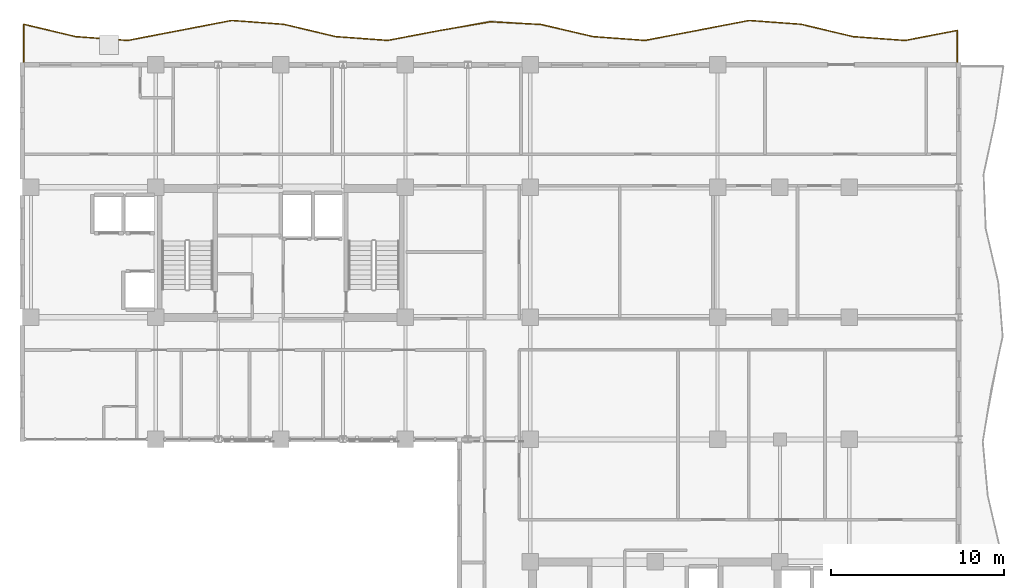
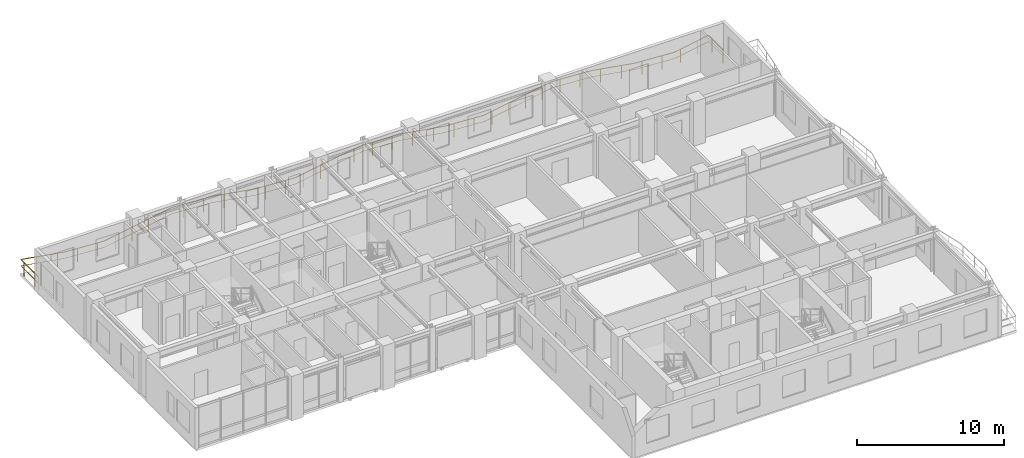
# One storey, part 16 of 16: 1 railing.
"""IFC4 building model written with IfcOpenShell, lengths in metres."""

from ifc_helpers import new_model, si_unit, direction, frame, origin, origin_2d, place, context, subcontext, project, spatial, rectangle, extrude, material, type_object, element, save


model = new_model("IFC4")

# Units and contexts
model_context = context("Model", 3, precision=1e-05, world=origin(), true_north=direction((0.0, 1.0)))
body_context = subcontext(model_context, "Body", "Model", "MODEL_VIEW")
ifc_project = project(units=[si_unit("LENGTHUNIT", "METRE"), si_unit("AREAUNIT", "SQUARE_METRE"), si_unit("VOLUMEUNIT", "CUBIC_METRE"), si_unit("PLANEANGLEUNIT", "RADIAN"), si_unit("MASSUNIT", "GRAM", prefix="KILO")], contexts=[model_context])

# Site, building, storey
site_placement = place(None, origin())
site = spatial("IfcSite", under=ifc_project, at=site_placement, CompositionType="ELEMENT")
building_placement = place(site_placement, origin())
building = spatial("IfcBuilding", under=site, at=building_placement, Name="Kaliganga Portal Commons", CompositionType="ELEMENT")
storey_placement = place(building_placement, frame((0.0, 0.0, 205.5)))
storey = spatial("IfcBuildingStorey", under=building, at=storey_placement, Name="L52", CompositionType="ELEMENT", Elevation=205.5)

# Railing
ifc_material = material(Name="Laminated Safety Glass and Stainless Steel 316", Category="steel")
railing_type = type_object("IfcRailingType", Name="RLG-BAL-1150", PredefinedType="BALUSTRADE", material=ifc_material)
railing_placement = place(storey_placement, frame((60.6201171875, 43.205078125, 0.0)))
element("IfcRailing", 1, at=railing_placement, inside=storey, type_object=railing_type, Name="Balcony Guardrail L52 balc_north", PredefinedType="BALUSTRADE", context=body_context, shape_type="SweptSolid", body=[
    extrude(rectangle(XDim=0.048095703125, YDim=0.048095703125, at=origin_2d()), frame((0.0, 0.0, 1.1259765625), z_axis=(0.0, 1.0, 0.0), x_axis=(-1.0, 0.0, 0.0)), (0.0, 0.0, 1.0), 1.9853515625),
    extrude(rectangle(XDim=0.028076171875, YDim=0.028076171875, at=origin_2d()), frame((0.0, 0.0, 0.597900390625), z_axis=(0.0, 1.0, 0.0), x_axis=(-1.0, 0.0, 0.0)), (0.0, 0.0, 1.0), 1.9853515625),
    extrude(rectangle(XDim=0.048095703125, YDim=0.048095703125, at=origin_2d()), frame((0.0, 1.9853515625, 1.1259765625), z_axis=(-0.981977935952, -0.1889955907, 0.0), x_axis=(0.1889955907, -0.981977935952, 0.0)), (0.0, 0.0, 1.0), 3.05517578125),
    extrude(rectangle(XDim=0.028076171875, YDim=0.028076171875, at=origin_2d()), frame((0.0, 1.9853515625, 0.597900390625), z_axis=(-0.981977935952, -0.1889955907, 0.0), x_axis=(0.1889955907, -0.981977935952, 0.0)), (0.0, 0.0, 1.0), 3.05517578125),
    extrude(rectangle(XDim=0.048095703125, YDim=0.048095703125, at=origin_2d()), frame((-3.0, 1.407958984375, 1.1259765625), z_axis=(-0.99731076678, 0.07328870625, 0.0), x_axis=(-0.07328870625, -0.99731076678, 0.0)), (0.0, 0.0, 1.0), 3.008056640625),
    extrude(rectangle(XDim=0.028076171875, YDim=0.028076171875, at=origin_2d()), frame((-3.0, 1.407958984375, 0.597900390625), z_axis=(-0.99731076678, 0.07328870625, 0.0), x_axis=(-0.07328870625, -0.99731076678, 0.0)), (0.0, 0.0, 1.0), 3.008056640625),
    extrude(rectangle(XDim=0.048095703125, YDim=0.048095703125, at=origin_2d()), frame((-6.0, 1.62841796875, 1.1259765625), z_axis=(-0.972908063116, 0.231192345728, 0.0), x_axis=(-0.231192345728, -0.972908063116, 0.0)), (0.0, 0.0, 1.0), 3.08349609375),
    extrude(rectangle(XDim=0.028076171875, YDim=0.028076171875, at=origin_2d()), frame((-6.0, 1.62841796875, 0.597900390625), z_axis=(-0.972908063116, 0.231192345728, 0.0), x_axis=(-0.231192345728, -0.972908063116, 0.0)), (0.0, 0.0, 1.0), 3.08349609375),
    extrude(rectangle(XDim=0.048095703125, YDim=0.048095703125, at=origin_2d()), frame((-9.0, 2.34130859375, 1.1259765625), z_axis=(-0.997328534337, 0.073046523511, 0.0), x_axis=(-0.073046523511, -0.997328534337, 0.0)), (0.0, 0.0, 1.0), 3.008056640625),
    extrude(rectangle(XDim=0.028076171875, YDim=0.028076171875, at=origin_2d()), frame((-9.0, 2.34130859375, 0.597900390625), z_axis=(-0.997328534337, 0.073046523511, 0.0), x_axis=(-0.073046523511, -0.997328534337, 0.0)), (0.0, 0.0, 1.0), 3.008056640625),
    extrude(rectangle(XDim=0.048095703125, YDim=0.048095703125, at=origin_2d()), frame((-12.0, 2.56103515625, 1.1259765625), z_axis=(-0.982037215628, -0.188687326343, 0.0), x_axis=(0.188687326343, -0.982037215628, 0.0)), (0.0, 0.0, 1.0), 3.054931640625),
    extrude(rectangle(XDim=0.028076171875, YDim=0.028076171875, at=origin_2d()), frame((-12.0, 2.56103515625, 0.597900390625), z_axis=(-0.982037215628, -0.188687326343, 0.0), x_axis=(0.188687326343, -0.982037215628, 0.0)), (0.0, 0.0, 1.0), 3.054931640625),
    extrude(rectangle(XDim=0.048095703125, YDim=0.048095703125, at=origin_2d()), frame((-15.0, 1.984619140625, 1.1259765625), z_axis=(-0.982140739342, -0.188147729526, 0.0), x_axis=(0.188147729526, -0.982140739342, 0.0)), (0.0, 0.0, 1.0), 3.054443359375),
    extrude(rectangle(XDim=0.028076171875, YDim=0.028076171875, at=origin_2d()), frame((-15.0, 1.984619140625, 0.597900390625), z_axis=(-0.982140739342, -0.188147729526, 0.0), x_axis=(0.188147729526, -0.982140739342, 0.0)), (0.0, 0.0, 1.0), 3.054443359375),
    extrude(rectangle(XDim=0.048095703125, YDim=0.048095703125, at=origin_2d()), frame((-18.0, 1.409912109375, 1.1259765625), z_axis=(-0.997322618282, 0.073127252529, 0.0), x_axis=(-0.073127252529, -0.997322618282, 0.0)), (0.0, 0.0, 1.0), 3.008056640625),
    extrude(rectangle(XDim=0.028076171875, YDim=0.028076171875, at=origin_2d()), frame((-18.0, 1.409912109375, 0.597900390625), z_axis=(-0.997322618282, 0.073127252529, 0.0), x_axis=(-0.073127252529, -0.997322618282, 0.0)), (0.0, 0.0, 1.0), 3.008056640625),
    extrude(rectangle(XDim=0.048095703125, YDim=0.048095703125, at=origin_2d()), frame((-21.0, 1.6298828125, 1.1259765625), z_axis=(-0.973894403738, 0.22700152063, 0.0), x_axis=(-0.22700152063, -0.973894403738, 0.0)), (0.0, 0.0, 1.0), 3.0791015625),
    extrude(rectangle(XDim=0.028076171875, YDim=0.028076171875, at=origin_2d()), frame((-21.0, 1.6298828125, 0.597900390625), z_axis=(-0.973894403738, 0.22700152063, 0.0), x_axis=(-0.22700152063, -0.973894403738, 0.0)), (0.0, 0.0, 1.0), 3.0791015625),
    extrude(rectangle(XDim=0.048095703125, YDim=0.048095703125, at=origin_2d()), frame((-23.998779296875, 2.328857421875, 1.1259765625), z_axis=(-0.998572745545, 0.053408537285, 0.0), x_axis=(-0.053408537285, -0.998572745545, 0.0)), (0.0, 0.0, 1.0), 2.925537109375),
    extrude(rectangle(XDim=0.028076171875, YDim=0.028076171875, at=origin_2d()), frame((-23.998779296875, 2.328857421875, 0.597900390625), z_axis=(-0.998572745545, 0.053408537285, 0.0), x_axis=(-0.053408537285, -0.998572745545, 0.0)), (0.0, 0.0, 1.0), 2.925537109375),
    extrude(rectangle(XDim=0.048095703125, YDim=0.048095703125, at=origin_2d()), frame((-26.920166015625, 2.485107421875, 1.1259765625), z_axis=(-0.985380574295, -0.170367613715, 0.0), x_axis=(0.170367613715, -0.985380574295, 0.0)), (0.0, 0.0, 1.0), 2.96337890625),
    extrude(rectangle(XDim=0.028076171875, YDim=0.028076171875, at=origin_2d()), frame((-26.920166015625, 2.485107421875, 0.597900390625), z_axis=(-0.985380574295, -0.170367613715, 0.0), x_axis=(0.170367613715, -0.985380574295, 0.0)), (0.0, 0.0, 1.0), 2.96337890625),
    extrude(rectangle(XDim=0.048095703125, YDim=0.048095703125, at=origin_2d()), frame((-29.84033203125, 1.980224609375, 1.1259765625), z_axis=(-0.98250822182, -0.186219209686, 0.0), x_axis=(0.186219209686, -0.98250822182, 0.0)), (0.0, 0.0, 1.0), 3.053466796875),
    extrude(rectangle(XDim=0.028076171875, YDim=0.028076171875, at=origin_2d()), frame((-29.84033203125, 1.980224609375, 0.597900390625), z_axis=(-0.98250822182, -0.186219209686, 0.0), x_axis=(0.186219209686, -0.98250822182, 0.0)), (0.0, 0.0, 1.0), 3.053466796875),
    extrude(rectangle(XDim=0.048095703125, YDim=0.048095703125, at=origin_2d()), frame((-32.84033203125, 1.41162109375, 1.1259765625), z_axis=(-0.99738106331, 0.072325753024, 0.0), x_axis=(-0.072325753024, -0.99738106331, 0.0)), (0.0, 0.0, 1.0), 3.007568359375),
    extrude(rectangle(XDim=0.028076171875, YDim=0.028076171875, at=origin_2d()), frame((-32.84033203125, 1.41162109375, 0.597900390625), z_axis=(-0.99738106331, 0.072325753024, 0.0), x_axis=(-0.072325753024, -0.99738106331, 0.0)), (0.0, 0.0, 1.0), 3.007568359375),
    extrude(rectangle(XDim=0.048095703125, YDim=0.048095703125, at=origin_2d()), frame((-35.840087890625, 1.629150390625, 1.1259765625), z_axis=(-0.973054580085, 0.230574899276, 0.0), x_axis=(-0.230574899276, -0.973054580085, 0.0)), (0.0, 0.0, 1.0), 3.083251953125),
    extrude(rectangle(XDim=0.028076171875, YDim=0.028076171875, at=origin_2d()), frame((-35.840087890625, 1.629150390625, 0.597900390625), z_axis=(-0.973054580085, 0.230574899276, 0.0), x_axis=(-0.230574899276, -0.973054580085, 0.0)), (0.0, 0.0, 1.0), 3.083251953125),
    extrude(rectangle(XDim=0.048095703125, YDim=0.048095703125, at=origin_2d()), frame((-38.84033203125, 2.340087890625, 1.1259765625), z_axis=(-0.997298889424, 0.07345015421, 0.0), x_axis=(-0.07345015421, -0.997298889424, 0.0)), (0.0, 0.0, 1.0), 3.008056640625),
    extrude(rectangle(XDim=0.028076171875, YDim=0.028076171875, at=origin_2d()), frame((-38.84033203125, 2.340087890625, 0.597900390625), z_axis=(-0.997298889424, 0.07345015421, 0.0), x_axis=(-0.07345015421, -0.997298889424, 0.0)), (0.0, 0.0, 1.0), 3.008056640625),
    extrude(rectangle(XDim=0.048095703125, YDim=0.048095703125, at=origin_2d()), frame((-41.84033203125, 2.56103515625, 1.1259765625), z_axis=(-0.982049178162, -0.188625055788, 0.0), x_axis=(0.188625055788, -0.982049178162, 0.0)), (0.0, 0.0, 1.0), 3.0546875),
    extrude(rectangle(XDim=0.028076171875, YDim=0.028076171875, at=origin_2d()), frame((-41.84033203125, 2.56103515625, 0.597900390625), z_axis=(-0.982049178162, -0.188625055788, 0.0), x_axis=(0.188625055788, -0.982049178162, 0.0)), (0.0, 0.0, 1.0), 3.0546875),
    extrude(rectangle(XDim=0.048095703125, YDim=0.048095703125, at=origin_2d()), frame((-44.840087890625, 1.98486328125, 1.1259765625), z_axis=(-0.98202240411, -0.188764397665, 0.0), x_axis=(0.188764397665, -0.98202240411, 0.0)), (0.0, 0.0, 1.0), 3.054931640625),
    extrude(rectangle(XDim=0.028076171875, YDim=0.028076171875, at=origin_2d()), frame((-44.840087890625, 1.98486328125, 0.597900390625), z_axis=(-0.98202240411, -0.188764397665, 0.0), x_axis=(0.188764397665, -0.98202240411, 0.0)), (0.0, 0.0, 1.0), 3.054931640625),
    extrude(rectangle(XDim=0.048095703125, YDim=0.048095703125, at=origin_2d()), frame((-47.840087890625, 1.408203125, 1.1259765625), z_axis=(-0.997316695763, 0.073207980109, 0.0), x_axis=(-0.073207980109, -0.997316695763, 0.0)), (0.0, 0.0, 1.0), 3.008056640625),
    extrude(rectangle(XDim=0.028076171875, YDim=0.028076171875, at=origin_2d()), frame((-47.840087890625, 1.408203125, 0.597900390625), z_axis=(-0.997316695763, 0.073207980109, 0.0), x_axis=(-0.073207980109, -0.997316695763, 0.0)), (0.0, 0.0, 1.0), 3.008056640625),
    extrude(rectangle(XDim=0.048095703125, YDim=0.048095703125, at=origin_2d()), frame((-50.840087890625, 1.62841796875, 1.1259765625), z_axis=(-0.972836786762, 0.231492086954, 0.0), x_axis=(-0.231492086954, -0.972836786762, 0.0)), (0.0, 0.0, 1.0), 3.083740234375),
    extrude(rectangle(XDim=0.028076171875, YDim=0.028076171875, at=origin_2d()), frame((-50.840087890625, 1.62841796875, 0.597900390625), z_axis=(-0.972836786762, 0.231492086954, 0.0), x_axis=(-0.231492086954, -0.972836786762, 0.0)), (0.0, 0.0, 1.0), 3.083740234375),
    extrude(rectangle(XDim=0.048095703125, YDim=0.048095703125, at=origin_2d()), frame((-53.840087890625, 2.34228515625, 1.1259765625), z_axis=(-0.000104231811, -0.999999994568, 0.0), x_axis=(0.999999994568, -0.000104231811, 0.0)), (0.0, 0.0, 1.0), 2.34228515625),
    extrude(rectangle(XDim=0.028076171875, YDim=0.028076171875, at=origin_2d()), frame((-53.840087890625, 2.34228515625, 0.597900390625), z_axis=(-0.000104231811, -0.999999994568, 0.0), x_axis=(0.999999994568, -0.000104231811, 0.0)), (0.0, 0.0, 1.0), 2.34228515625),
    extrude(rectangle(XDim=0.0419921875, YDim=0.0419921875, at=origin_2d()), origin(), (0.0, 0.0, 1.0), 1.101806640625),
    extrude(rectangle(XDim=0.0419921875, YDim=0.0419921875, at=origin_2d()), frame((0.0, 1.5, 0.0)), (0.0, 0.0, 1.0), 1.101806640625),
    extrude(rectangle(XDim=0.0419921875, YDim=0.0419921875, at=origin_2d()), frame((-0.996337890625, 1.793701171875, 0.0)), (0.0, 0.0, 1.0), 1.101806640625),
    extrude(rectangle(XDim=0.0419921875, YDim=0.0419921875, at=origin_2d()), frame((-2.46923828125, 1.510009765625, 0.0)), (0.0, 0.0, 1.0), 1.101806640625),
    extrude(rectangle(XDim=0.0419921875, YDim=0.0419921875, at=origin_2d()), frame((-3.95703125, 1.478271484375, 0.0)), (0.0, 0.0, 1.0), 1.101806640625),
    extrude(rectangle(XDim=0.0419921875, YDim=0.0419921875, at=origin_2d()), frame((-5.452880859375, 1.588134765625, 0.0)), (0.0, 0.0, 1.0), 1.101806640625),
    extrude(rectangle(XDim=0.0419921875, YDim=0.0419921875, at=origin_2d()), frame((-6.92578125, 1.848388671875, 0.0)), (0.0, 0.0, 1.0), 1.101806640625),
    extrude(rectangle(XDim=0.0419921875, YDim=0.0419921875, at=origin_2d()), frame((-8.385009765625, 2.195068359375, 0.0)), (0.0, 0.0, 1.0), 1.101806640625),
    extrude(rectangle(XDim=0.0419921875, YDim=0.0419921875, at=origin_2d()), frame((-9.86572265625, 2.40478515625, 0.0)), (0.0, 0.0, 1.0), 1.101806640625),
    extrude(rectangle(XDim=0.0419921875, YDim=0.0419921875, at=origin_2d()), frame((-11.361572265625, 2.51416015625, 0.0)), (0.0, 0.0, 1.0), 1.101806640625),
    extrude(rectangle(XDim=0.0419921875, YDim=0.0419921875, at=origin_2d()), frame((-12.844482421875, 2.398681640625, 0.0)), (0.0, 0.0, 1.0), 1.101806640625),
    extrude(rectangle(XDim=0.0419921875, YDim=0.0419921875, at=origin_2d()), frame((-14.317626953125, 2.11572265625, 0.0)), (0.0, 0.0, 1.0), 1.101806640625),
    extrude(rectangle(XDim=0.0419921875, YDim=0.0419921875, at=origin_2d()), frame((-15.790771484375, 1.833251953125, 0.0)), (0.0, 0.0, 1.0), 1.101806640625),
    extrude(rectangle(XDim=0.0419921875, YDim=0.0419921875, at=origin_2d()), frame((-17.263916015625, 1.551025390625, 0.0)), (0.0, 0.0, 1.0), 1.101806640625),
    extrude(rectangle(XDim=0.0419921875, YDim=0.0419921875, at=origin_2d()), frame((-18.74853515625, 1.46484375, 0.0)), (0.0, 0.0, 1.0), 1.101806640625),
    extrude(rectangle(XDim=0.0419921875, YDim=0.0419921875, at=origin_2d()), frame((-20.244384765625, 1.574462890625, 0.0)), (0.0, 0.0, 1.0), 1.101806640625),
    extrude(rectangle(XDim=0.0419921875, YDim=0.0419921875, at=origin_2d()), frame((-21.72314453125, 1.79833984375, 0.0)), (0.0, 0.0, 1.0), 1.101806640625),
    extrude(rectangle(XDim=0.0419921875, YDim=0.0419921875, at=origin_2d()), frame((-23.183837890625, 2.138916015625, 0.0)), (0.0, 0.0, 1.0), 1.101806640625),
    extrude(rectangle(XDim=0.0419921875, YDim=0.0419921875, at=origin_2d()), frame((-24.6611328125, 2.3642578125, 0.0)), (0.0, 0.0, 1.0), 1.101806640625),
    extrude(rectangle(XDim=0.0419921875, YDim=0.0419921875, at=origin_2d()), frame((-26.158935546875, 2.4443359375, 0.0)), (0.0, 0.0, 1.0), 1.101806640625),
    extrude(rectangle(XDim=0.0419921875, YDim=0.0419921875, at=origin_2d()), frame((-27.647216796875, 2.359375, 0.0)), (0.0, 0.0, 1.0), 1.101806640625),
    extrude(rectangle(XDim=0.0419921875, YDim=0.0419921875, at=origin_2d()), frame((-29.125244140625, 2.103759765625, 0.0)), (0.0, 0.0, 1.0), 1.101806640625),
    extrude(rectangle(XDim=0.0419921875, YDim=0.0419921875, at=origin_2d()), frame((-30.60107421875, 1.8359375, 0.0)), (0.0, 0.0, 1.0), 1.101806640625),
    extrude(rectangle(XDim=0.0419921875, YDim=0.0419921875, at=origin_2d()), frame((-32.07470703125, 1.556640625, 0.0)), (0.0, 0.0, 1.0), 1.101806640625),
    extrude(rectangle(XDim=0.0419921875, YDim=0.0419921875, at=origin_2d()), frame((-33.559326171875, 1.4638671875, 0.0)), (0.0, 0.0, 1.0), 1.101806640625),
    extrude(rectangle(XDim=0.0419921875, YDim=0.0419921875, at=origin_2d()), frame((-35.055419921875, 1.572265625, 0.0)), (0.0, 0.0, 1.0), 1.101806640625),
    extrude(rectangle(XDim=0.0419921875, YDim=0.0419921875, at=origin_2d()), frame((-36.5341796875, 1.793701171875, 0.0)), (0.0, 0.0, 1.0), 1.101806640625),
    extrude(rectangle(XDim=0.0419921875, YDim=0.0419921875, at=origin_2d()), frame((-37.99365234375, 2.139404296875, 0.0)), (0.0, 0.0, 1.0), 1.101806640625),
    extrude(rectangle(XDim=0.0419921875, YDim=0.0419921875, at=origin_2d()), frame((-39.468505859375, 2.38623046875, 0.0)), (0.0, 0.0, 1.0), 1.101806640625),
    extrude(rectangle(XDim=0.0419921875, YDim=0.0419921875, at=origin_2d()), frame((-40.96435546875, 2.49658203125, 0.0)), (0.0, 0.0, 1.0), 1.101806640625),
    extrude(rectangle(XDim=0.0419921875, YDim=0.0419921875, at=origin_2d()), frame((-42.450927734375, 2.44384765625, 0.0)), (0.0, 0.0, 1.0), 1.101806640625),
    extrude(rectangle(XDim=0.0419921875, YDim=0.0419921875, at=origin_2d()), frame((-43.924072265625, 2.160888671875, 0.0)), (0.0, 0.0, 1.0), 1.101806640625),
    extrude(rectangle(XDim=0.0419921875, YDim=0.0419921875, at=origin_2d()), frame((-45.39697265625, 1.877685546875, 0.0)), (0.0, 0.0, 1.0), 1.101806640625),
    extrude(rectangle(XDim=0.0419921875, YDim=0.0419921875, at=origin_2d()), frame((-46.8701171875, 1.5947265625, 0.0)), (0.0, 0.0, 1.0), 1.101806640625),
    extrude(rectangle(XDim=0.0419921875, YDim=0.0419921875, at=origin_2d()), frame((-48.350830078125, 1.44580078125, 0.0)), (0.0, 0.0, 1.0), 1.101806640625),
    extrude(rectangle(XDim=0.0419921875, YDim=0.0419921875, at=origin_2d()), frame((-49.846923828125, 1.555419921875, 0.0)), (0.0, 0.0, 1.0), 1.101806640625),
    extrude(rectangle(XDim=0.0419921875, YDim=0.0419921875, at=origin_2d()), frame((-51.33056640625, 1.7451171875, 0.0)), (0.0, 0.0, 1.0), 1.101806640625),
    extrude(rectangle(XDim=0.0419921875, YDim=0.0419921875, at=origin_2d()), frame((-52.789794921875, 2.09228515625, 0.0)), (0.0, 0.0, 1.0), 1.101806640625),
    extrude(rectangle(XDim=0.0419921875, YDim=0.0419921875, at=origin_2d()), frame((-53.840087890625, 1.921875, 0.0)), (0.0, 0.0, 1.0), 1.101806640625),
    extrude(rectangle(XDim=0.0419921875, YDim=0.0419921875, at=origin_2d()), frame((-53.84033203125, 0.421875, 0.0)), (0.0, 0.0, 1.0), 1.101806640625),
    extrude(rectangle(XDim=0.0419921875, YDim=0.0419921875, at=origin_2d()), frame((-53.84033203125, 0.0, 0.0)), (0.0, 0.0, 1.0), 1.101806640625),
])

save(model, "model.ifc")
